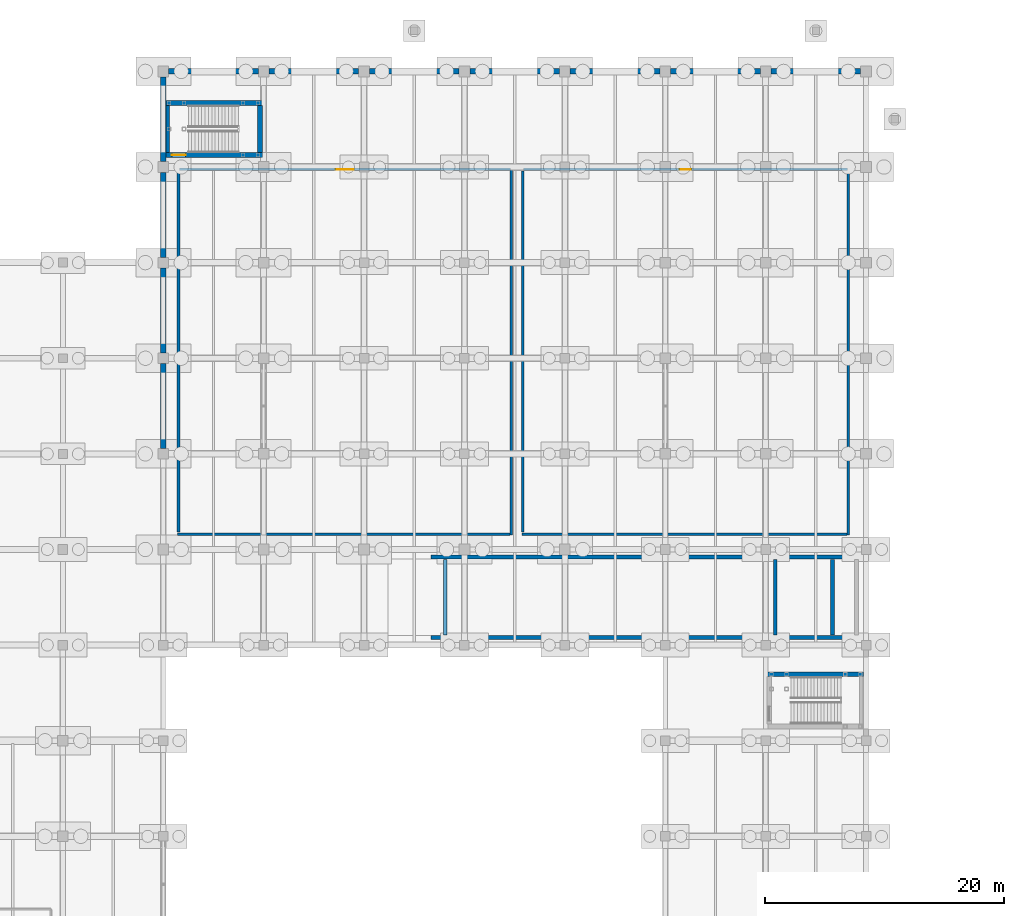
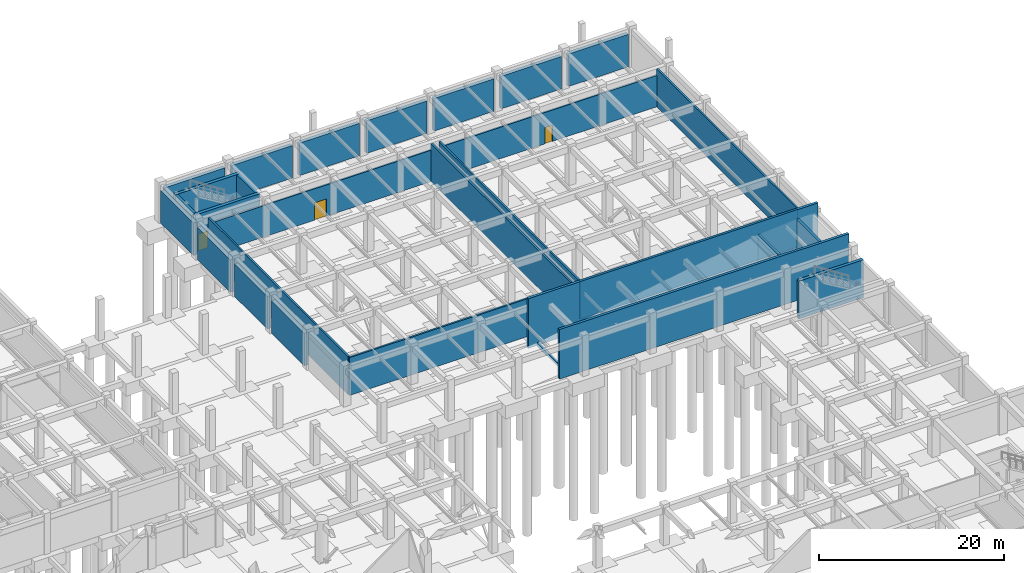
# One storey, part 40 of 56: 29 walls, 3 doors, 3 openings.
"""IFC4 building model written with IfcOpenShell, lengths in metres."""

from ifc_helpers import new_model, si_unit, direction, frame, frame_2d, origin, place, context, subcontext, project, spatial, rectangle, extrude, material, layer, layer_set, type_object, element, fill, save


model = new_model("IFC4")

# Units and contexts
model_context = context("Model", 3, precision=1e-05, world=origin(), true_north=direction((0.0, 1.0)))
body_context = subcontext(model_context, "Body", "Model", "MODEL_VIEW")
ifc_project = project(units=[si_unit("LENGTHUNIT", "METRE"), si_unit("AREAUNIT", "SQUARE_METRE"), si_unit("VOLUMEUNIT", "CUBIC_METRE"), si_unit("PLANEANGLEUNIT", "RADIAN"), si_unit("MASSUNIT", "GRAM", prefix="KILO")], contexts=[model_context])

# Site, building, storey
site_placement = place(None, origin())
site = spatial("IfcSite", under=ifc_project, at=site_placement, CompositionType="ELEMENT")
building_placement = place(site_placement, origin())
building = spatial("IfcBuilding", under=site, at=building_placement, Name="Naruveol Harbour Congress Hotel", CompositionType="ELEMENT")
storey_placement = place(building_placement, frame((0.0, 0.0, -5.39990234375)))
storey = spatial("IfcBuildingStorey", under=building, at=storey_placement, Name="B01", CompositionType="ELEMENT", Elevation=-5.39990234375)

# Wall, opening, door
ifc_material_1 = material(Name="Concrete C40/50", Category="concrete")
ifc_layer_1 = layer(ifc_material_1, 0.219970703125)
ifc_layer_set_1 = layer_set([ifc_layer_1], Name="Concrete C40/50")
wall_type_1 = type_object("IfcWallType", Name="FIRE COMPARTMENT AND LOBBY WALL 220 EI120", PredefinedType="PARTITIONING", material=ifc_layer_set_1)
wall_1_placement = place(storey_placement, frame((68.56005859375, 103.800048828125, 0.0), z_axis=(0.0, 0.0, 1.0), x_axis=(1.0, 0.0, 0.0)))
wall_1 = element("IfcWall", 1, at=wall_1_placement, inside=storey, type_object=wall_type_1, Name="Main Banquet Kitchen Cold Prep Store north entry wall FW-220", PredefinedType="PARTITIONING", context=body_context, shape_type="SweptSolid", body=[
    extrude(rectangle(XDim=27.679931640625, YDim=0.219970703125, at=frame_2d((13.83984375, 0.0))), origin(), (0.0, 0.0, 1.0), 4.14990234375),
])
opening_1_placement = place(wall_1_placement, frame((13.090087890625, 0.0, 0.0)))
opening_1 = element("IfcOpeningElement", 2, at=opening_1_placement, cuts=wall_1, Name="Opening FD-KT-05", PredefinedType="OPENING", context=body_context, shape_type="SweptSolid", body=[
    extrude(rectangle(XDim=1.5, YDim=2.300048828125, at=frame_2d((0.75, 1.14990234375))), frame((0.0, 0.119873046875, 0.0), z_axis=(0.0, -1.0, 0.0), x_axis=(1.0, 0.0, 0.0)), (0.0, 0.0, 1.0), 0.239990234375),
])
ifc_material_2 = material(Name="Timber & Steel Acoustic Leaf", Category="steel")
door_type_1 = type_object("IfcDoorType", Name="BANQUET KITCHEN SERVICE FIRE DOOR 1500X2300", OperationType="DOUBLE_DOOR_SINGLE_SWING", PredefinedType="DOOR", material=ifc_material_2)
door_1_placement = place(opening_1_placement, origin())
door_1 = element("IfcDoor", 3, at=door_1_placement, inside=storey, type_object=door_type_1, Name="Main Banquet Kitchen Cold Prep Store Fire Door", OperationType="DOUBLE_DOOR_SINGLE_SWING", OverallHeight=2.300048828125, OverallWidth=1.5, PredefinedType="DOOR", context=body_context, shape_type="SweptSolid", body=[
    extrude(rectangle(XDim=1.5, YDim=2.300048828125, at=frame_2d((0.75, 1.14990234375))), frame((0.0, 0.02490234375, 0.0), z_axis=(0.0, -1.0, 0.0), x_axis=(1.0, 0.0, 0.0)), (0.0, 0.0, 1.0), 0.050048828125),
])
fill(opening_1, door_1)

# Wall
wall_2_placement = place(storey_placement, frame((68.47998046875, 73.449951171875, 0.0), z_axis=(0.0, 0.0, 1.0), x_axis=(0.0, 1.0, 0.0)))
element("IfcWall", 4, at=wall_2_placement, inside=storey, type_object=wall_type_1, Name="Main Banquet Kitchen Cold Prep Store west partition FW-220", PredefinedType="PARTITIONING", context=body_context, shape_type="SweptSolid", body=[
    extrude(rectangle(XDim=30.2099609375, YDim=0.219970703125, at=frame_2d((15.10498046875, 0.0))), origin(), (0.0, 0.0, 1.0), 4.994873046875),
])

# Wall, opening, door
wall_3_placement = place(storey_placement, frame((97.360107421875, 103.800048828125, 0.0), z_axis=(0.0, 0.0, 1.0), x_axis=(1.0, 0.0, 0.0)))
wall_3 = element("IfcWall", 5, at=wall_3_placement, inside=storey, type_object=wall_type_1, Name="Beverage Cellar and Dry Goods Store north entry wall FW-220", PredefinedType="PARTITIONING", context=body_context, shape_type="SweptSolid", body=[
    extrude(rectangle(XDim=27.079833984375, YDim=0.219970703125, at=frame_2d((13.5400390625, 0.0))), origin(), (0.0, 0.0, 1.0), 4.14990234375),
])
opening_2_placement = place(wall_3_placement, frame((13.070068359375, 0.0, 0.0)))
opening_2 = element("IfcOpeningElement", 6, at=opening_2_placement, cuts=wall_3, Name="Opening FD-ST-06", PredefinedType="OPENING", context=body_context, shape_type="SweptSolid", body=[
    extrude(rectangle(XDim=0.93994140625, YDim=2.14990234375, at=frame_2d((0.469970703125, 1.074951171875))), frame((0.0, 0.119873046875, 0.0), z_axis=(0.0, -1.0, 0.0), x_axis=(1.0, 0.0, 0.0)), (0.0, 0.0, 1.0), 0.239990234375),
])
ifc_material_3 = material(Name="Timber & Steel Acoustic Leaf", Category="steel")
door_type_2 = type_object("IfcDoorType", Name="HOUSEKEEPING AND STORE FIRE DOOR 940X2150", OperationType="NOTDEFINED", PredefinedType="DOOR", material=ifc_material_3)
door_2_placement = place(opening_2_placement, origin())
door_2 = element("IfcDoor", 7, at=door_2_placement, inside=storey, type_object=door_type_2, Name="Beverage Cellar and Dry Goods Store Fire Door", OperationType="SINGLE_SWING_LEFT", OverallHeight=2.14990234375, OverallWidth=0.93994140625, PredefinedType="DOOR", context=body_context, shape_type="SweptSolid", body=[
    extrude(rectangle(XDim=0.93994140625, YDim=2.14990234375, at=frame_2d((0.469970703125, 1.074951171875))), frame((0.0, 0.02490234375, 0.0), z_axis=(0.0, -1.0, 0.0), x_axis=(1.0, 0.0, 0.0)), (0.0, 0.0, 1.0), 0.050048828125),
])
fill(opening_2, door_2)

# Walls
wall_4_placement = place(storey_placement, frame((97.280029296875, 73.449951171875, 0.0), z_axis=(0.0, 0.0, 1.0), x_axis=(0.0, 1.0, 0.0)))
element("IfcWall", 8, at=wall_4_placement, inside=storey, type_object=wall_type_1, Name="Beverage Cellar and Dry Goods Store west partition FW-220", PredefinedType="PARTITIONING", context=body_context, shape_type="SweptSolid", body=[
    extrude(rectangle(XDim=30.2099609375, YDim=0.219970703125, at=frame_2d((15.10498046875, 0.0))), origin(), (0.0, 0.0, 1.0), 4.994873046875),
])
wall_5_placement = place(storey_placement, frame((96.320068359375, 73.199951171875, 0.0), z_axis=(0.0, 0.0, 1.0), x_axis=(0.0, 1.0, 0.0)))
element("IfcWall", 9, at=wall_5_placement, inside=storey, type_object=wall_type_1, Name="Main Banquet Kitchen Cold Prep Store east enclosure partition FW-220", PredefinedType="PARTITIONING", context=body_context, shape_type="SweptSolid", body=[
    extrude(rectangle(XDim=30.548095703125, YDim=0.219970703125, at=frame_2d((15.27392578125, 0.0))), origin(), (0.0, 0.0, 1.0), 4.994873046875),
])
wall_6_placement = place(storey_placement, frame((68.39990234375, 73.280029296875, 0.0), z_axis=(0.0, 0.0, 1.0), x_axis=(1.0, 0.0, 0.0)))
element("IfcWall", 10, at=wall_6_placement, inside=storey, type_object=wall_type_1, Name="Main Banquet Kitchen Cold Prep Store south enclosure partition FW-220", PredefinedType="PARTITIONING", context=body_context, shape_type="SweptSolid", body=[
    extrude(rectangle(XDim=27.81005859375, YDim=0.219970703125, at=frame_2d((13.905029296875, 0.0))), origin(), (0.0, 0.0, 1.0), 4.994873046875),
])
wall_7_placement = place(storey_placement, frame((124.52001953125, 73.199951171875, 0.0), z_axis=(0.0, 0.0, 1.0), x_axis=(0.0, 1.0, 0.0)))
element("IfcWall", 11, at=wall_7_placement, inside=storey, type_object=wall_type_1, Name="Beverage Cellar and Dry Goods Store east enclosure partition FW-220", PredefinedType="PARTITIONING", context=body_context, shape_type="SweptSolid", body=[
    extrude(rectangle(XDim=30.548095703125, YDim=0.219970703125, at=frame_2d((15.27392578125, 0.0))), origin(), (0.0, 0.0, 1.0), 4.994873046875),
])
wall_8_placement = place(storey_placement, frame((97.199951171875, 73.280029296875, 0.0), z_axis=(0.0, 0.0, 1.0), x_axis=(1.0, 0.0, 0.0)))
element("IfcWall", 12, at=wall_8_placement, inside=storey, type_object=wall_type_1, Name="Beverage Cellar and Dry Goods Store south enclosure partition FW-220", PredefinedType="PARTITIONING", context=body_context, shape_type="SweptSolid", body=[
    extrude(rectangle(XDim=27.2099609375, YDim=0.219970703125, at=frame_2d((13.60498046875, 0.0))), origin(), (0.0, 0.0, 1.0), 4.994873046875),
])
ifc_material_4 = material(Name="Concrete C40/50", Category="concrete")
ifc_layer_2 = layer(ifc_material_4, 0.449951171875)
ifc_layer_set_2 = layer_set([ifc_layer_2], Name="Concrete C40/50")
wall_type_2 = type_object("IfcWallType", Name="RC BASEMENT RETAINING WALL 450", PredefinedType="USERDEFINED", material=ifc_layer_set_2)
for number, where, z_axis, x_axis, name in (
    (13, (67.199951171875, 80.449951171875, 0.0), (0.0, 0.0, 1.0), (0.0, 1.0, 0.0), "Basement ballroom west wall RW-450"),
    (14, (67.199951171875, 88.449951171875, 0.0), (0.0, 0.0, 1.0), (0.0, 1.0, 0.0), "Basement ballroom west wall RW-450"),
    (15, (67.199951171875, 96.449951171875, 0.0), (0.0, 0.0, 1.0), (0.0, 1.0, 0.0), "Basement ballroom west wall RW-450"),
    (16, (67.199951171875, 104.449951171875, 0.0), (0.0, 0.0, 1.0), (0.0, 1.0, 0.0), "Basement ballroom west wall RW-450"),
):
    element("IfcWall", number, at=place(storey_placement, frame(where, z_axis=z_axis, x_axis=x_axis)), inside=storey, type_object=wall_type_2, Name=name, ObjectType="RETAININGWALL", PredefinedType="USERDEFINED", context=body_context, shape_type="SweptSolid", body=[
        extrude(rectangle(XDim=7.10009765625, YDim=0.449951171875, at=frame_2d((3.550048828125, 0.0))), origin(), (0.0, 0.0, 1.0), 4.2998046875),
    ])
for number, where, z_axis, x_axis, name in (
    (17, (67.64990234375, 112.0, 0.0), (0.0, 0.0, 1.0), (1.0, 0.0, 0.0), "Basement ballroom north wall RW-450"),
    (18, (76.050048828125, 112.0, 0.0), (0.0, 0.0, 1.0), (1.0, 0.0, 0.0), "Basement ballroom north wall RW-450"),
    (19, (84.449951171875, 112.0, 0.0), (0.0, 0.0, 1.0), (1.0, 0.0, 0.0), "Basement ballroom north wall RW-450"),
    (20, (92.85009765625, 112.0, 0.0), (0.0, 0.0, 1.0), (1.0, 0.0, 0.0), "Basement ballroom north wall RW-450"),
    (21, (101.25, 112.0, 0.0), (0.0, 0.0, 1.0), (1.0, 0.0, 0.0), "Basement ballroom north wall RW-450"),
    (22, (109.64990234375, 112.0, 0.0), (0.0, 0.0, 1.0), (1.0, 0.0, 0.0), "Basement ballroom north wall RW-450"),
    (23, (118.050048828125, 112.0, 0.0), (0.0, 0.0, 1.0), (1.0, 0.0, 0.0), "Basement ballroom north wall RW-450"),
):
    element("IfcWall", number, at=place(storey_placement, frame(where, z_axis=z_axis, x_axis=x_axis)), inside=storey, type_object=wall_type_2, Name=name, ObjectType="RETAININGWALL", PredefinedType="USERDEFINED", context=body_context, shape_type="SweptSolid", body=[
        extrude(rectangle(XDim=7.5, YDim=0.449951171875, at=frame_2d((3.75, 0.0))), origin(), (0.0, 0.0, 1.0), 4.2998046875),
    ])

# Wall, opening, door
ifc_material_5 = material(Name="Concrete C50/60", Category="concrete")
ifc_layer_3 = layer(ifc_material_5, 0.39990234375)
ifc_layer_set_3 = layer_set([ifc_layer_3], Name="Concrete C50/60")
wall_type_3 = type_object("IfcWallType", Name="RC CORE SHEAR WALL 400 EI120", PredefinedType="SHEAR", material=ifc_layer_set_3)
wall_9_placement = place(storey_placement, frame((67.425048828125, 105.0, 0.0), z_axis=(0.0, 0.0, 1.0), x_axis=(1.0, 0.0, 0.0)))
wall_9 = element("IfcWall", 24, at=wall_9_placement, inside=storey, type_object=wall_type_3, Name="Stair ST8 south core wall CW-400", PredefinedType="SHEAR", context=body_context, shape_type="SweptSolid", body=[
    extrude(rectangle(XDim=8.074951171875, YDim=0.39990234375, at=frame_2d((4.03759765625, 0.0))), origin(), (0.0, 0.0, 1.0), 4.994873046875),
])
opening_3_placement = place(wall_9_placement, frame((0.4951171875, 0.0, 0.0)))
opening_3 = element("IfcOpeningElement", 25, at=opening_3_placement, cuts=wall_9, Name="Opening FD-ST8-B01", PredefinedType="OPENING", context=body_context, shape_type="SweptSolid", body=[
    extrude(rectangle(XDim=1.159912109375, YDim=2.199951171875, at=frame_2d((0.580078125, 1.10009765625))), frame((0.0, 0.2099609375, 0.0), z_axis=(0.0, -1.0, 0.0), x_axis=(1.0, 0.0, 0.0)), (0.0, 0.0, 1.0), 0.419921875),
])
ifc_material_6 = material(Name="Timber & Steel Acoustic Leaf", Category="steel")
door_type_3 = type_object("IfcDoorType", Name="SPECIAL ESCAPE STAIR FIRE DOOR 1160X2200", OperationType="NOTDEFINED", PredefinedType="DOOR", material=ifc_material_6)
door_3_placement = place(opening_3_placement, origin())
door_3 = element("IfcDoor", 26, at=door_3_placement, inside=storey, type_object=door_type_3, Name="Enclosed Exit Stair Door ST8 B01", OperationType="SINGLE_SWING_LEFT", OverallHeight=2.199951171875, OverallWidth=1.159912109375, PredefinedType="DOOR", context=body_context, shape_type="SweptSolid", body=[
    extrude(rectangle(XDim=1.159912109375, YDim=2.199951171875, at=frame_2d((0.580078125, 1.10009765625))), frame((0.0, 0.02490234375, 0.0), z_axis=(0.0, -1.0, 0.0), x_axis=(1.0, 0.0, 0.0)), (0.0, 0.0, 1.0), 0.050048828125),
])
fill(opening_3, door_3)

# Walls
wall_10_placement = place(storey_placement, frame((75.300048828125, 105.205078125, 0.0), z_axis=(0.0, 0.0, 1.0), x_axis=(0.0, 1.0, 0.0)))
element("IfcWall", 27, at=wall_10_placement, inside=storey, type_object=wall_type_3, Name="Stair ST8 east core wall CW-400", PredefinedType="SHEAR", context=body_context, shape_type="SweptSolid", body=[
    extrude(rectangle(XDim=3.949951171875, YDim=0.39990234375, at=frame_2d((1.97509765625, 0.0))), origin(), (0.0, 0.0, 1.0), 4.994873046875),
])
for number, where, z_axis, x_axis, name in (
    (28, (67.425048828125, 109.360107421875, 0.0), (0.0, 0.0, 1.0), (1.0, 0.0, 0.0), "Stair ST8 north core wall CW-400"),
    (29, (117.699951171875, 61.56005859375, 0.0), (0.0, 0.0, 1.0), (1.0, 0.0, 0.0), "Stair ST9 north core wall CW-400"),
):
    element("IfcWall", number, at=place(storey_placement, frame(where, z_axis=z_axis, x_axis=x_axis)), inside=storey, type_object=wall_type_3, Name=name, PredefinedType="SHEAR", context=body_context, shape_type="SweptSolid", body=[
        extrude(rectangle(XDim=8.074951171875, YDim=0.39990234375, at=frame_2d((4.03759765625, 0.0))), origin(), (0.0, 0.0, 1.0), 4.994873046875),
    ])
ifc_material_7 = material(Name="Concrete C40/50", Category="concrete")
ifc_layer_4 = layer(ifc_material_7, 0.320068359375)
ifc_layer_set_4 = layer_set([ifc_layer_4], Name="Concrete C40/50")
wall_type_4 = type_object("IfcWallType", Name="RC RAMP SUPPORT WALL 320", PredefinedType="SHEAR", material=ifc_layer_set_4)
for number, where, z_axis, x_axis, name in (
    (30, (89.60009765625, 64.639892578125, 0.0), (0.0, 0.0, 1.0), (1.0, 0.0, 0.0), "Vehicle ramp S retaining parapet wall"),
    (31, (89.60009765625, 71.360107421875, 0.0), (0.0, 0.0, 1.0), (1.0, 0.0, 0.0), "Vehicle ramp N retaining parapet wall"),
):
    element("IfcWall", number, at=place(storey_placement, frame(where, z_axis=z_axis, x_axis=x_axis)), inside=storey, type_object=wall_type_4, Name=name, PredefinedType="SHEAR", context=body_context, shape_type="SweptSolid", body=[
        extrude(rectangle(XDim=36.179931640625, YDim=0.320068359375, at=frame_2d((18.08984375, 0.0))), origin(), (0.0, 0.0, 1.0), 6.5498046875),
    ])
wall_11_placement = place(storey_placement, frame((90.800048828125, 64.85009765625, 0.0), z_axis=(0.0, 0.0, 1.0), x_axis=(0.0, 1.0, 0.0)))
element("IfcWall", 32, at=wall_11_placement, inside=storey, type_object=wall_type_4, Name="Vehicle ramp bearing wall #1", PredefinedType="SHEAR", context=body_context, shape_type="SweptSolid", body=[
    extrude(rectangle(XDim=6.2998046875, YDim=0.320068359375, at=frame_2d((3.14990234375, 0.0))), origin(), (0.0, 0.0, 1.0), 0.39990234375),
])
wall_12_placement = place(storey_placement, frame((118.39990234375, 64.85009765625, 0.0), z_axis=(0.0, 0.0, 1.0), x_axis=(0.0, 1.0, 0.0)))
element("IfcWall", 33, at=wall_12_placement, inside=storey, type_object=wall_type_4, Name="Vehicle ramp bearing wall #2", PredefinedType="SHEAR", context=body_context, shape_type="SweptSolid", body=[
    extrude(rectangle(XDim=6.2998046875, YDim=0.320068359375, at=frame_2d((3.14990234375, 0.0))), origin(), (0.0, 0.0, 1.0), 5.0),
])
wall_13_placement = place(storey_placement, frame((123.199951171875, 64.85009765625, 0.0), z_axis=(0.0, 0.0, 1.0), x_axis=(0.0, 1.0, 0.0)))
element("IfcWall", 34, at=wall_13_placement, inside=storey, type_object=wall_type_4, Name="Vehicle ramp bearing wall #3", PredefinedType="SHEAR", context=body_context, shape_type="SweptSolid", body=[
    extrude(rectangle(XDim=6.2998046875, YDim=0.320068359375, at=frame_2d((3.14990234375, 0.0))), origin(), (0.0, 0.0, 1.0), 5.39990234375),
])
ifc_material_8 = material(Name="Concrete C50/60", Category="concrete")
ifc_layer_5 = layer(ifc_material_8, 0.300048828125)
ifc_layer_set_5 = layer_set([ifc_layer_5], Name="Concrete C50/60")
wall_type_5 = type_object("IfcWallType", Name="RC STAIR AND HOISTWAY SHEAR WALL 300 EI120", PredefinedType="SHEAR", material=ifc_layer_set_5)
wall_14_placement = place(storey_placement, frame((67.590087890625, 105.205078125, 0.0), z_axis=(0.0, 0.0, 1.0), x_axis=(0.0, 1.0, 0.0)))
element("IfcWall", 35, at=wall_14_placement, inside=storey, type_object=wall_type_5, Name="Stair ST8 west core wall SW-300", PredefinedType="SHEAR", context=body_context, shape_type="SweptSolid", body=[
    extrude(rectangle(XDim=3.949951171875, YDim=0.300048828125, at=frame_2d((1.97509765625, 0.0))), origin(), (0.0, 0.0, 1.0), 4.994873046875),
])

save(model, "model.ifc")
